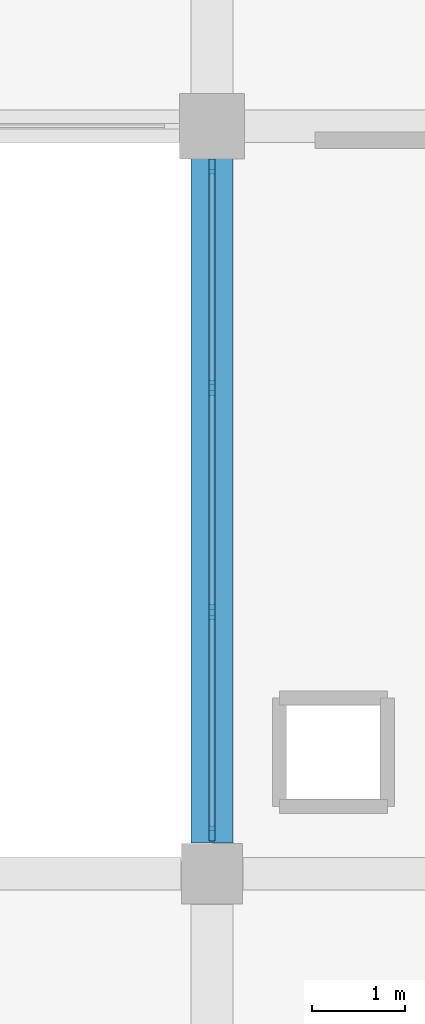
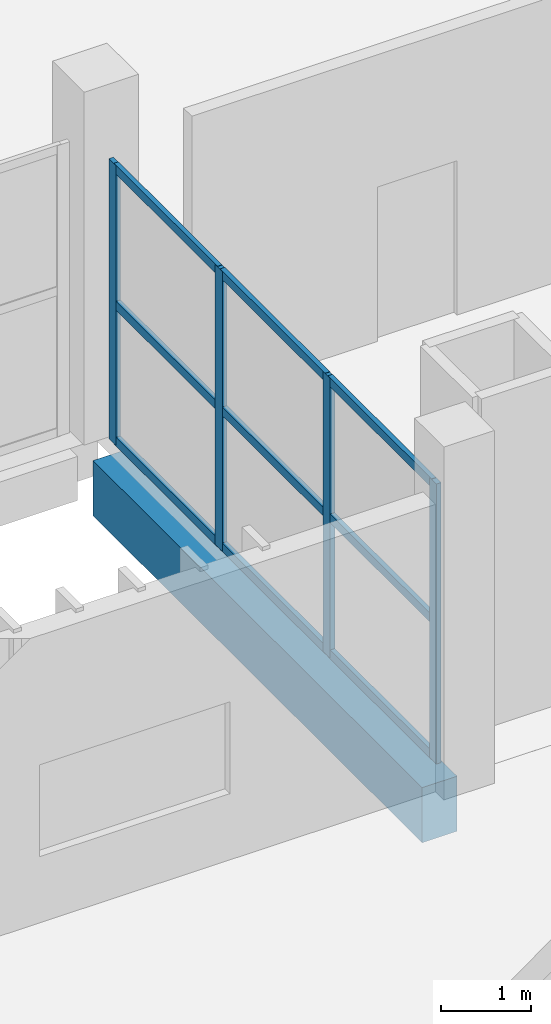
# One storey, part 24 of 106: 13 members, 1 beam, 1 element without a shape of its own.
"""IFC4 building model written with IfcOpenShell, lengths in metres."""

from ifc_helpers import new_model, si_unit, direction, frame, origin, origin_2d, place, context, subcontext, project, spatial, rectangle, extrude, material, layer, layer_set, material_profile, profile_set, type_object, element, aggregate, save


model = new_model("IFC4")

# Units and contexts
model_context = context("Model", 3, precision=1e-05, world=origin(), true_north=direction((0.0, 1.0)))
body_context = subcontext(model_context, "Body", "Model", "MODEL_VIEW")
ifc_project = project(units=[si_unit("LENGTHUNIT", "METRE"), si_unit("AREAUNIT", "SQUARE_METRE"), si_unit("VOLUMEUNIT", "CUBIC_METRE"), si_unit("PLANEANGLEUNIT", "RADIAN"), si_unit("MASSUNIT", "GRAM", prefix="KILO")], contexts=[model_context])

# Site, building, storey
site_placement = place(None, origin())
site = spatial("IfcSite", under=ifc_project, at=site_placement, CompositionType="ELEMENT")
building_placement = place(site_placement, origin())
building = spatial("IfcBuilding", under=site, at=building_placement, Name="Jelvoka-Kovrelna Polytechnic", CompositionType="ELEMENT")
storey_placement = place(building_placement, frame((0.0, 0.0, 4.800048828125)))
storey = spatial("IfcBuildingStorey", under=building, at=storey_placement, Name="L02", CompositionType="ELEMENT", Elevation=4.800048828125)

# Beam
ifc_material_1 = material(Name="Concrete C40/50", Category="concrete")
ifc_material_profile_1 = material_profile(ifc_material_1, rectangle(XDim=0.449951171875, YDim=0.75, at=origin_2d()), Name="RC 450x750")
ifc_profile_set_1 = profile_set([ifc_material_profile_1], Name="Concrete C40/50")
beam_type = type_object("IfcBeamType", Name="Beam_RC_450x750", PredefinedType="BEAM", material=ifc_profile_set_1)
beam_placement = place(storey_placement, frame((72.0, 24.330078125, -0.64013671875), z_axis=(0.0, 1.0, 0.0), x_axis=(-1.0, 0.0, 0.0)))
element("IfcBeam", 1, at=beam_placement, inside=storey, type_object=beam_type, Name="L02 beam 0855", PredefinedType="BEAM", context=body_context, shape_type="SweptSolid", body=[
    extrude(rectangle(XDim=0.449951171875, YDim=0.75, at=origin_2d()), origin(), (0.0, 0.0, 1.0), 7.33984375),
])

# Curtain wall, members
ifc_material_2 = material(Name="Anodised aluminium 6063-T6", Category="aluminium")
ifc_layer = layer(ifc_material_2, 0.159912109375)
ifc_layer_set = layer_set([ifc_layer], Name="Anodised aluminium 6063-T6")
curtain_wall_type = type_object("IfcCurtainWallType", Name="CW_LinkBridge", PredefinedType="NOTDEFINED", material=ifc_layer_set)
curtain_wall_placement = place(storey_placement, origin())
curtain_wall = element("IfcCurtainWall", 2, at=curtain_wall_placement, inside=storey, type_object=curtain_wall_type, Name="L02 glazed curtain wall 114", PredefinedType="NOTDEFINED")
ifc_material_3 = material(Name="Anodised aluminium 6063-T6", Category="aluminium")
ifc_material_profile_2 = material_profile(ifc_material_3, rectangle(XDim=0.06005859375, YDim=0.159912109375, at=origin_2d()), Name="ALU 60x160")
ifc_profile_set_2 = profile_set([ifc_material_profile_2], Name="Anodised aluminium 6063-T6")
member_type_1 = type_object("IfcMemberType", Name="Mullion_M-04", PredefinedType="MULLION", material=ifc_profile_set_2)
member_1_placement = place(storey_placement, frame((72.0, 24.429931640625, -0.02490234375), z_axis=(0.0, 0.0, 1.0), x_axis=(-1.0, 0.0, 0.0)))
member_1 = element("IfcMember", 3, at=member_1_placement, type_object=member_type_1, Name="CW-04 mullion 1", PredefinedType="MULLION", context=body_context, shape_type="SweptSolid", body=[
    extrude(rectangle(XDim=0.06005859375, YDim=0.159912109375, at=origin_2d()), origin(), (0.0, 0.0, 1.0), 3.81005859375),
])
member_2_placement = place(storey_placement, frame((72.0, 26.800048828125, -0.02490234375), z_axis=(0.0, 0.0, 1.0), x_axis=(-1.0, 0.0, 0.0)))
member_2 = element("IfcMember", 4, at=member_2_placement, type_object=member_type_1, Name="CW-04 mullion 2", PredefinedType="MULLION", context=body_context, shape_type="SweptSolid", body=[
    extrude(rectangle(XDim=0.06005859375, YDim=0.159912109375, at=origin_2d()), origin(), (0.0, 0.0, 1.0), 3.81005859375),
])
member_3_placement = place(storey_placement, frame((72.0, 29.199951171875, -0.02490234375), z_axis=(0.0, 0.0, 1.0), x_axis=(-1.0, 0.0, 0.0)))
member_3 = element("IfcMember", 5, at=member_3_placement, type_object=member_type_1, Name="CW-04 mullion 3", PredefinedType="MULLION", context=body_context, shape_type="SweptSolid", body=[
    extrude(rectangle(XDim=0.06005859375, YDim=0.159912109375, at=origin_2d()), origin(), (0.0, 0.0, 1.0), 3.81005859375),
])
member_4_placement = place(storey_placement, frame((72.0, 31.570068359375, -0.02490234375), z_axis=(0.0, 0.0, 1.0), x_axis=(-1.0, 0.0, 0.0)))
member_4 = element("IfcMember", 6, at=member_4_placement, type_object=member_type_1, Name="CW-04 mullion 4", PredefinedType="MULLION", context=body_context, shape_type="SweptSolid", body=[
    extrude(rectangle(XDim=0.06005859375, YDim=0.159912109375, at=origin_2d()), origin(), (0.0, 0.0, 1.0), 3.81005859375),
])
ifc_material_4 = material(Name="Anodised aluminium 6063-T6", Category="aluminium")
ifc_material_profile_3 = material_profile(ifc_material_4, rectangle(XDim=0.06005859375, YDim=0.1201171875, at=origin_2d()), Name="ALU 60x120")
ifc_profile_set_3 = profile_set([ifc_material_profile_3], Name="Anodised aluminium 6063-T6")
member_type_2 = type_object("IfcMemberType", Name="Transom_T-04", PredefinedType="USERDEFINED", material=ifc_profile_set_3)
member_5_placement = place(storey_placement, frame((72.0, 24.4599609375, 0.030029296875), z_axis=(0.0, 1.0, 0.0), x_axis=(-1.0, 0.0, 0.0)))
member_5 = element("IfcMember", 7, at=member_5_placement, type_object=member_type_2, Name="CW-04 transom 1.1", ObjectType="TRANSOM", PredefinedType="USERDEFINED", context=body_context, shape_type="SweptSolid", body=[
    extrude(rectangle(XDim=0.06005859375, YDim=0.1201171875, at=origin_2d()), origin(), (0.0, 0.0, 1.0), 2.31005859375),
])
member_6_placement = place(storey_placement, frame((72.0, 24.4599609375, 1.8798828125), z_axis=(0.0, 1.0, 0.0), x_axis=(-1.0, 0.0, 0.0)))
member_6 = element("IfcMember", 8, at=member_6_placement, type_object=member_type_2, Name="CW-04 transom 1.2", ObjectType="TRANSOM", PredefinedType="USERDEFINED", context=body_context, shape_type="SweptSolid", body=[
    extrude(rectangle(XDim=0.06005859375, YDim=0.1201171875, at=origin_2d()), origin(), (0.0, 0.0, 1.0), 2.31005859375),
])
member_7_placement = place(storey_placement, frame((72.0, 24.4599609375, 3.72998046875), z_axis=(0.0, 1.0, 0.0), x_axis=(-1.0, 0.0, 0.0)))
member_7 = element("IfcMember", 9, at=member_7_placement, type_object=member_type_2, Name="CW-04 transom 1.3", ObjectType="TRANSOM", PredefinedType="USERDEFINED", context=body_context, shape_type="SweptSolid", body=[
    extrude(rectangle(XDim=0.06005859375, YDim=0.1201171875, at=origin_2d()), origin(), (0.0, 0.0, 1.0), 2.31005859375),
])
member_8_placement = place(storey_placement, frame((72.0, 26.830078125, 0.030029296875), z_axis=(0.0, 1.0, 0.0), x_axis=(-1.0, 0.0, 0.0)))
member_8 = element("IfcMember", 10, at=member_8_placement, type_object=member_type_2, Name="CW-04 transom 2.1", ObjectType="TRANSOM", PredefinedType="USERDEFINED", context=body_context, shape_type="SweptSolid", body=[
    extrude(rectangle(XDim=0.06005859375, YDim=0.1201171875, at=origin_2d()), origin(), (0.0, 0.0, 1.0), 2.33984375),
])
member_9_placement = place(storey_placement, frame((72.0, 26.830078125, 1.8798828125), z_axis=(0.0, 1.0, 0.0), x_axis=(-1.0, 0.0, 0.0)))
member_9 = element("IfcMember", 11, at=member_9_placement, type_object=member_type_2, Name="CW-04 transom 2.2", ObjectType="TRANSOM", PredefinedType="USERDEFINED", context=body_context, shape_type="SweptSolid", body=[
    extrude(rectangle(XDim=0.06005859375, YDim=0.1201171875, at=origin_2d()), origin(), (0.0, 0.0, 1.0), 2.33984375),
])
member_10_placement = place(storey_placement, frame((72.0, 26.830078125, 3.72998046875), z_axis=(0.0, 1.0, 0.0), x_axis=(-1.0, 0.0, 0.0)))
member_10 = element("IfcMember", 12, at=member_10_placement, type_object=member_type_2, Name="CW-04 transom 2.3", ObjectType="TRANSOM", PredefinedType="USERDEFINED", context=body_context, shape_type="SweptSolid", body=[
    extrude(rectangle(XDim=0.06005859375, YDim=0.1201171875, at=origin_2d()), origin(), (0.0, 0.0, 1.0), 2.33984375),
])
member_11_placement = place(storey_placement, frame((72.0, 29.22998046875, 0.030029296875), z_axis=(0.0, 1.0, 0.0), x_axis=(-1.0, 0.0, 0.0)))
member_11 = element("IfcMember", 13, at=member_11_placement, type_object=member_type_2, Name="CW-04 transom 3.1", ObjectType="TRANSOM", PredefinedType="USERDEFINED", context=body_context, shape_type="SweptSolid", body=[
    extrude(rectangle(XDim=0.06005859375, YDim=0.1201171875, at=origin_2d()), origin(), (0.0, 0.0, 1.0), 2.31005859375),
])
member_12_placement = place(storey_placement, frame((72.0, 29.22998046875, 1.8798828125), z_axis=(0.0, 1.0, 0.0), x_axis=(-1.0, 0.0, 0.0)))
member_12 = element("IfcMember", 14, at=member_12_placement, type_object=member_type_2, Name="CW-04 transom 3.2", ObjectType="TRANSOM", PredefinedType="USERDEFINED", context=body_context, shape_type="SweptSolid", body=[
    extrude(rectangle(XDim=0.06005859375, YDim=0.1201171875, at=origin_2d()), origin(), (0.0, 0.0, 1.0), 2.31005859375),
])
member_13_placement = place(storey_placement, frame((72.0, 29.22998046875, 3.72998046875), z_axis=(0.0, 1.0, 0.0), x_axis=(-1.0, 0.0, 0.0)))
member_13 = element("IfcMember", 15, at=member_13_placement, type_object=member_type_2, Name="CW-04 transom 3.3", ObjectType="TRANSOM", PredefinedType="USERDEFINED", context=body_context, shape_type="SweptSolid", body=[
    extrude(rectangle(XDim=0.06005859375, YDim=0.1201171875, at=origin_2d()), origin(), (0.0, 0.0, 1.0), 2.31005859375),
])
aggregate(curtain_wall, [member_1, member_2, member_3, member_4, member_5, member_6, member_7, member_8, member_9, member_10, member_11, member_12, member_13])

save(model, "model.ifc")
